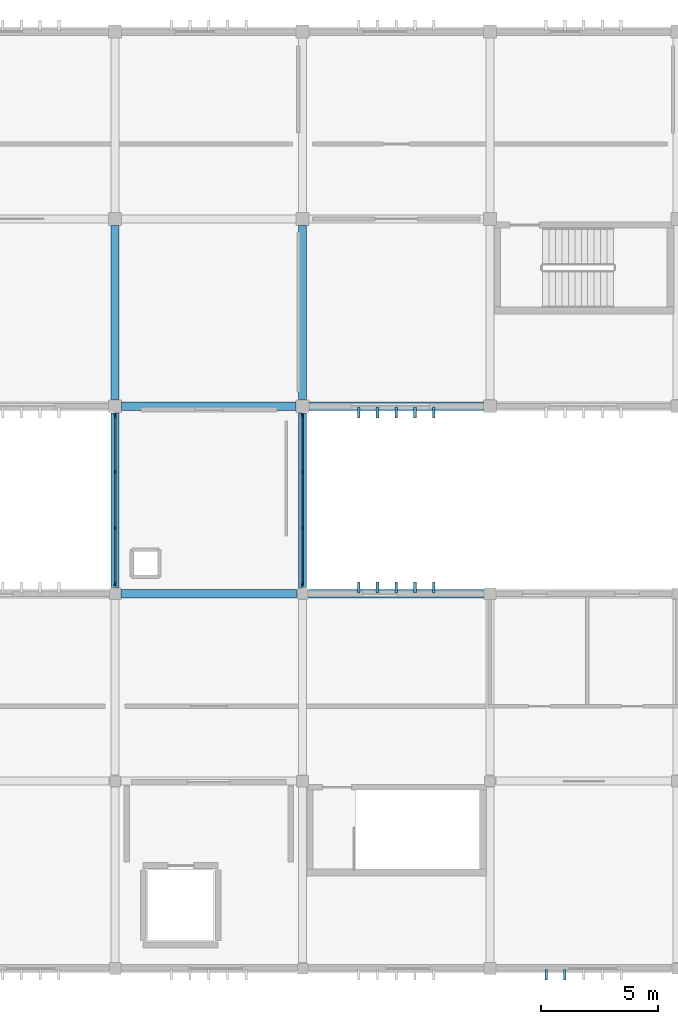
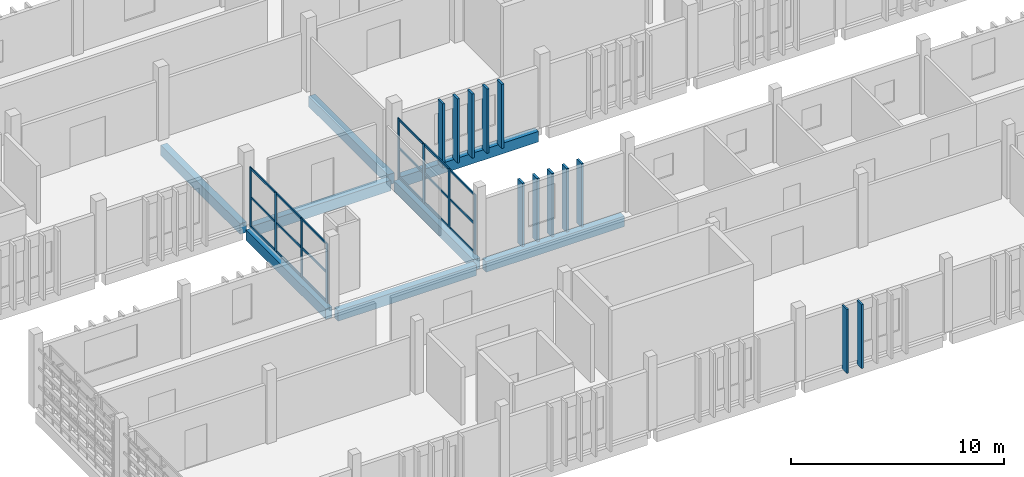
# One storey, part 10 of 32: 38 members, 8 beams, 2 elements without a shape of their own.
"""IFC4 building model written with IfcOpenShell, lengths in metres."""

from ifc_helpers import new_model, si_unit, direction, frame, origin, origin_2d, place, context, subcontext, project, spatial, rectangle, extrude, material, layer, layer_set, material_profile, profile_set, type_object, element, aggregate, save


model = new_model("IFC4")

# Units and contexts
model_context = context("Model", 3, precision=1e-05, world=origin(), true_north=direction((0.0, 1.0)))
body_context = subcontext(model_context, "Body", "Model", "MODEL_VIEW")
ifc_project = project(units=[si_unit("LENGTHUNIT", "METRE"), si_unit("AREAUNIT", "SQUARE_METRE"), si_unit("VOLUMEUNIT", "CUBIC_METRE"), si_unit("PLANEANGLEUNIT", "RADIAN"), si_unit("MASSUNIT", "GRAM", prefix="KILO")], contexts=[model_context])

# Site, building, storey
site_placement = place(None, origin())
site = spatial("IfcSite", under=ifc_project, at=site_placement, CompositionType="ELEMENT")
building_placement = place(site_placement, origin())
building = spatial("IfcBuilding", under=site, at=building_placement, Name="Jelvoka-Kovrelna Polytechnic", CompositionType="ELEMENT")
storey_placement = place(building_placement, frame((0.0, 0.0, 26.39990234375)))
storey = spatial("IfcBuildingStorey", under=building, at=storey_placement, Name="L07", CompositionType="ELEMENT", Elevation=26.39990234375)

# Beams
ifc_material_1 = material(Name="Concrete C35/45", Category="concrete")
ifc_material_profile_1 = material_profile(ifc_material_1, rectangle(XDim=0.35009765625, YDim=0.60009765625, at=origin_2d()), Name="RC 350x600")
ifc_profile_set_1 = profile_set([ifc_material_profile_1], Name="Concrete C35/45")
beam_type_1 = type_object("IfcBeamType", Name="Beam_RC_350x600", PredefinedType="BEAM", material=ifc_profile_set_1)
for number, where, z_axis, x_axis, name in (
    (1, (144.0, 56.280029296875, -0.539794921875), (0.0, 1.0, 0.0), (-1.0, 0.0, 0.0), "L07 beam 1889"),
    (2, (152.0, 56.280029296875, -0.539794921875), (0.0, 1.0, 0.0), (-1.0, 0.0, 0.0), "L07 beam 1891"),
):
    element("IfcBeam", number, at=place(storey_placement, frame(where, z_axis=z_axis, x_axis=x_axis)), inside=storey, type_object=beam_type_1, Name=name, PredefinedType="BEAM", context=body_context, shape_type="SweptSolid", body=[
        extrude(rectangle(XDim=0.35009765625, YDim=0.60009765625, at=origin_2d()), origin(), (0.0, 0.0, 1.0), 7.43994140625),
    ])
for number, where, z_axis, x_axis, name in (
    (3, (144.0, 48.2548828125, -0.539794921875), (0.0, 1.0, 0.0), (-1.0, 0.0, 0.0), "L07 beam 1901"),
    (4, (152.0, 48.2548828125, -0.539794921875), (0.0, 1.0, 0.0), (-1.0, 0.0, 0.0), "L07 beam 1902"),
):
    element("IfcBeam", number, at=place(storey_placement, frame(where, z_axis=z_axis, x_axis=x_axis)), inside=storey, type_object=beam_type_1, Name=name, PredefinedType="BEAM", context=body_context, shape_type="SweptSolid", body=[
        extrude(rectangle(XDim=0.35009765625, YDim=0.60009765625, at=origin_2d()), origin(), (0.0, 0.0, 1.0), 7.465087890625),
    ])

# Members
ifc_material_2 = material(Name="Precast concrete C40/50", Category="concrete")
ifc_material_profile_2 = material_profile(ifc_material_2, rectangle(XDim=0.10009765625, YDim=0.449951171875, at=origin_2d()), Name="PC 100x450")
ifc_profile_set_2 = profile_set([ifc_material_profile_2], Name="Precast concrete C40/50")
member_type_1 = type_object("IfcMemberType", Name="Louvre_Fin_100x450", PredefinedType="USERDEFINED", material=ifc_profile_set_2)
for number, where, z_axis, x_axis, name in (
    (5, (162.39990234375, 31.735107421875, -0.27001953125), (0.0, 0.0, 1.0), (1.0, 0.0, 0.0), "L07 B2E south vertical solar louvre fin 1186"),
    (6, (163.199951171875, 31.735107421875, -0.27001953125), (0.0, 0.0, 1.0), (1.0, 0.0, 0.0), "L07 B2E south vertical solar louvre fin 1187"),
):
    element("IfcMember", number, at=place(storey_placement, frame(where, z_axis=z_axis, x_axis=x_axis)), inside=storey, type_object=member_type_1, Name=name, ObjectType="SUNSHADE", PredefinedType="USERDEFINED", context=body_context, shape_type="SweptSolid", body=[
        extrude(rectangle(XDim=0.10009765625, YDim=0.449951171875, at=origin_2d()), origin(), (0.0, 0.0, 1.0), 3.655029296875),
    ])
ifc_material_3 = material(Name="Precast concrete C40/50", Category="concrete")
ifc_material_profile_3 = material_profile(ifc_material_3, rectangle(XDim=0.1201171875, YDim=0.449951171875, at=origin_2d()), Name="PC 120x450")
ifc_profile_set_3 = profile_set([ifc_material_profile_3], Name="Precast concrete C40/50")
member_type_2 = type_object("IfcMemberType", Name="Louvre_Fin_120x450", PredefinedType="USERDEFINED", material=ifc_profile_set_3)
for number, where, z_axis, x_axis, name in (
    (7, (154.39990234375, 48.264892578125, -0.27001953125), (0.0, 0.0, 1.0), (1.0, 0.0, 0.0), "L07 B2E north vertical solar louvre fin 1181"),
    (8, (155.199951171875, 48.264892578125, -0.27001953125), (0.0, 0.0, 1.0), (1.0, 0.0, 0.0), "L07 B2E north vertical solar louvre fin 1182"),
    (9, (156.0, 48.264892578125, -0.27001953125), (0.0, 0.0, 1.0), (1.0, 0.0, 0.0), "L07 B2E north vertical solar louvre fin 1183"),
    (10, (156.800048828125, 48.264892578125, -0.27001953125), (0.0, 0.0, 1.0), (1.0, 0.0, 0.0), "L07 B2E north vertical solar louvre fin 1184"),
    (11, (157.60009765625, 48.264892578125, -0.27001953125), (0.0, 0.0, 1.0), (1.0, 0.0, 0.0), "L07 B2E north vertical solar louvre fin 1185"),
):
    element("IfcMember", number, at=place(storey_placement, frame(where, z_axis=z_axis, x_axis=x_axis)), inside=storey, type_object=member_type_2, Name=name, ObjectType="SUNSHADE", PredefinedType="USERDEFINED", context=body_context, shape_type="SweptSolid", body=[
        extrude(rectangle(XDim=0.1201171875, YDim=0.449951171875, at=origin_2d()), origin(), (0.0, 0.0, 1.0), 3.655029296875),
    ])
for number, where, z_axis, x_axis, name in (
    (12, (154.39990234375, 55.735107421875, -0.27001953125), (0.0, 0.0, 1.0), (1.0, 0.0, 0.0), "L07 B3 south vertical solar louvre fin 2186"),
    (13, (155.199951171875, 55.735107421875, -0.27001953125), (0.0, 0.0, 1.0), (1.0, 0.0, 0.0), "L07 B3 south vertical solar louvre fin 2187"),
    (14, (156.0, 55.735107421875, -0.27001953125), (0.0, 0.0, 1.0), (1.0, 0.0, 0.0), "L07 B3 south vertical solar louvre fin 2188"),
    (15, (156.800048828125, 55.735107421875, -0.27001953125), (0.0, 0.0, 1.0), (1.0, 0.0, 0.0), "L07 B3 south vertical solar louvre fin 2189"),
    (16, (157.60009765625, 55.735107421875, -0.27001953125), (0.0, 0.0, 1.0), (1.0, 0.0, 0.0), "L07 B3 south vertical solar louvre fin 2190"),
):
    element("IfcMember", number, at=place(storey_placement, frame(where, z_axis=z_axis, x_axis=x_axis)), inside=storey, type_object=member_type_2, Name=name, ObjectType="SUNSHADE", PredefinedType="USERDEFINED", context=body_context, shape_type="SweptSolid", body=[
        extrude(rectangle(XDim=0.1201171875, YDim=0.449951171875, at=origin_2d()), origin(), (0.0, 0.0, 1.0), 3.670166015625),
    ])

# Curtain wall, members
ifc_material_4 = material(Name="Anodised aluminium 6063-T6", Category="aluminium")
ifc_layer = layer(ifc_material_4, 0.159912109375)
ifc_layer_set = layer_set([ifc_layer], Name="Anodised aluminium 6063-T6")
curtain_wall_type = type_object("IfcCurtainWallType", Name="CW_LinkBridge", PredefinedType="NOTDEFINED", material=ifc_layer_set)
curtain_wall_1_placement = place(storey_placement, origin())
curtain_wall_1 = element("IfcCurtainWall", 17, at=curtain_wall_1_placement, inside=storey, type_object=curtain_wall_type, Name="L07 glazed curtain wall 161", PredefinedType="NOTDEFINED")
ifc_material_5 = material(Name="Anodised aluminium 6063-T6", Category="aluminium")
ifc_material_profile_4 = material_profile(ifc_material_5, rectangle(XDim=0.06005859375, YDim=0.159912109375, at=origin_2d()), Name="ALU 60x160")
ifc_profile_set_4 = profile_set([ifc_material_profile_4], Name="Anodised aluminium 6063-T6")
member_type_3 = type_object("IfcMemberType", Name="Mullion_M-04", PredefinedType="MULLION", material=ifc_profile_set_4)
member_1_placement = place(storey_placement, frame((144.0, 48.429931640625, -0.02490234375), z_axis=(0.0, 0.0, 1.0), x_axis=(-1.0, 0.0, 0.0)))
member_1 = element("IfcMember", 18, at=member_1_placement, type_object=member_type_3, Name="CW-04 mullion 1", PredefinedType="MULLION", context=body_context, shape_type="SweptSolid", body=[
    extrude(rectangle(XDim=0.06005859375, YDim=0.159912109375, at=origin_2d()), origin(), (0.0, 0.0, 1.0), 3.400146484375),
])
member_2_placement = place(storey_placement, frame((144.0, 50.800048828125, -0.02490234375), z_axis=(0.0, 0.0, 1.0), x_axis=(-1.0, 0.0, 0.0)))
member_2 = element("IfcMember", 19, at=member_2_placement, type_object=member_type_3, Name="CW-04 mullion 2", PredefinedType="MULLION", context=body_context, shape_type="SweptSolid", body=[
    extrude(rectangle(XDim=0.06005859375, YDim=0.159912109375, at=origin_2d()), origin(), (0.0, 0.0, 1.0), 3.400146484375),
])
member_3_placement = place(storey_placement, frame((144.0, 53.199951171875, -0.02490234375), z_axis=(0.0, 0.0, 1.0), x_axis=(-1.0, 0.0, 0.0)))
member_3 = element("IfcMember", 20, at=member_3_placement, type_object=member_type_3, Name="CW-04 mullion 3", PredefinedType="MULLION", context=body_context, shape_type="SweptSolid", body=[
    extrude(rectangle(XDim=0.06005859375, YDim=0.159912109375, at=origin_2d()), origin(), (0.0, 0.0, 1.0), 3.400146484375),
])
member_4_placement = place(storey_placement, frame((144.0, 55.570068359375, -0.02490234375), z_axis=(0.0, 0.0, 1.0), x_axis=(-1.0, 0.0, 0.0)))
member_4 = element("IfcMember", 21, at=member_4_placement, type_object=member_type_3, Name="CW-04 mullion 4", PredefinedType="MULLION", context=body_context, shape_type="SweptSolid", body=[
    extrude(rectangle(XDim=0.06005859375, YDim=0.159912109375, at=origin_2d()), origin(), (0.0, 0.0, 1.0), 3.400146484375),
])

curtain_wall_2_placement = place(storey_placement, origin())
curtain_wall_2 = element("IfcCurtainWall", 22, at=curtain_wall_2_placement, inside=storey, type_object=curtain_wall_type, Name="L07 glazed curtain wall 162", PredefinedType="NOTDEFINED")
member_5_placement = place(storey_placement, frame((152.0, 55.570068359375, -0.02490234375), z_axis=(0.0, 0.0, 1.0), x_axis=(1.0, 0.0, 0.0)))
member_5 = element("IfcMember", 23, at=member_5_placement, type_object=member_type_3, Name="CW-04 mullion 1", PredefinedType="MULLION", context=body_context, shape_type="SweptSolid", body=[
    extrude(rectangle(XDim=0.06005859375, YDim=0.159912109375, at=origin_2d()), origin(), (0.0, 0.0, 1.0), 3.400146484375),
])
member_6_placement = place(storey_placement, frame((152.0, 53.199951171875, -0.02490234375), z_axis=(0.0, 0.0, 1.0), x_axis=(1.0, 0.0, 0.0)))
member_6 = element("IfcMember", 24, at=member_6_placement, type_object=member_type_3, Name="CW-04 mullion 2", PredefinedType="MULLION", context=body_context, shape_type="SweptSolid", body=[
    extrude(rectangle(XDim=0.06005859375, YDim=0.159912109375, at=origin_2d()), origin(), (0.0, 0.0, 1.0), 3.400146484375),
])
member_7_placement = place(storey_placement, frame((152.0, 50.800048828125, -0.02490234375), z_axis=(0.0, 0.0, 1.0), x_axis=(1.0, 0.0, 0.0)))
member_7 = element("IfcMember", 25, at=member_7_placement, type_object=member_type_3, Name="CW-04 mullion 3", PredefinedType="MULLION", context=body_context, shape_type="SweptSolid", body=[
    extrude(rectangle(XDim=0.06005859375, YDim=0.159912109375, at=origin_2d()), origin(), (0.0, 0.0, 1.0), 3.400146484375),
])
member_8_placement = place(storey_placement, frame((152.0, 48.429931640625, -0.02490234375), z_axis=(0.0, 0.0, 1.0), x_axis=(1.0, 0.0, 0.0)))
member_8 = element("IfcMember", 26, at=member_8_placement, type_object=member_type_3, Name="CW-04 mullion 4", PredefinedType="MULLION", context=body_context, shape_type="SweptSolid", body=[
    extrude(rectangle(XDim=0.06005859375, YDim=0.159912109375, at=origin_2d()), origin(), (0.0, 0.0, 1.0), 3.400146484375),
])

# Beams
ifc_material_6 = material(Name="Concrete C40/50", Category="concrete")
ifc_material_profile_5 = material_profile(ifc_material_6, rectangle(XDim=0.35009765625, YDim=0.60009765625, at=origin_2d()), Name="RC 350x600")
ifc_profile_set_5 = profile_set([ifc_material_profile_5], Name="Concrete C40/50")
beam_type_2 = type_object("IfcBeamType", Name="Spandrel_RC_350x600", PredefinedType="SPANDREL", material=ifc_profile_set_5)
for number, where, z_axis, x_axis, name in (
    (27, (144.2548828125, 48.0, -0.539794921875), (1.0, 0.0, 0.0), (0.0, 1.0, 0.0), "L07 beam 1806"),
    (28, (152.2548828125, 48.0, -0.539794921875), (1.0, 0.0, 0.0), (0.0, 1.0, 0.0), "L07 beam 1807"),
):
    element("IfcBeam", number, at=place(storey_placement, frame(where, z_axis=z_axis, x_axis=x_axis)), inside=storey, type_object=beam_type_2, Name=name, PredefinedType="SPANDREL", context=body_context, shape_type="SweptSolid", body=[
        extrude(rectangle(XDim=0.35009765625, YDim=0.60009765625, at=origin_2d()), origin(), (0.0, 0.0, 1.0), 7.490234375),
    ])
for number, where, z_axis, x_axis, name in (
    (29, (144.280029296875, 56.0, -0.539794921875), (1.0, 0.0, 0.0), (0.0, 1.0, 0.0), "L07 beam 1862"),
    (30, (152.280029296875, 56.0, -0.539794921875), (1.0, 0.0, 0.0), (0.0, 1.0, 0.0), "L07 beam 1863"),
):
    element("IfcBeam", number, at=place(storey_placement, frame(where, z_axis=z_axis, x_axis=x_axis)), inside=storey, type_object=beam_type_2, Name=name, PredefinedType="SPANDREL", context=body_context, shape_type="SweptSolid", body=[
        extrude(rectangle(XDim=0.35009765625, YDim=0.60009765625, at=origin_2d()), origin(), (0.0, 0.0, 1.0), 7.43994140625),
    ])

# Member
ifc_material_7 = material(Name="Anodised aluminium 6063-T6", Category="aluminium")
ifc_material_profile_6 = material_profile(ifc_material_7, rectangle(XDim=0.06005859375, YDim=0.1201171875, at=origin_2d()), Name="ALU 60x120")
ifc_profile_set_6 = profile_set([ifc_material_profile_6], Name="Anodised aluminium 6063-T6")
member_type_4 = type_object("IfcMemberType", Name="Transom_T-04", PredefinedType="USERDEFINED", material=ifc_profile_set_6)
member_9_placement = place(storey_placement, frame((144.0, 48.4599609375, 0.030029296875), z_axis=(0.0, 1.0, 0.0), x_axis=(-1.0, 0.0, 0.0)))
member_9 = element("IfcMember", 31, at=member_9_placement, type_object=member_type_4, Name="CW-04 transom 1.1", ObjectType="TRANSOM", PredefinedType="USERDEFINED", context=body_context, shape_type="SweptSolid", body=[
    extrude(rectangle(XDim=0.06005859375, YDim=0.1201171875, at=origin_2d()), origin(), (0.0, 0.0, 1.0), 2.31005859375),
])

member_10_placement = place(storey_placement, frame((144.0, 48.4599609375, 1.675048828125), z_axis=(0.0, 1.0, 0.0), x_axis=(-1.0, 0.0, 0.0)))
member_10 = element("IfcMember", 32, at=member_10_placement, type_object=member_type_4, Name="CW-04 transom 1.2", ObjectType="TRANSOM", PredefinedType="USERDEFINED", context=body_context, shape_type="SweptSolid", body=[
    extrude(rectangle(XDim=0.06005859375, YDim=0.1201171875, at=origin_2d()), origin(), (0.0, 0.0, 1.0), 2.31005859375),
])

member_11_placement = place(storey_placement, frame((144.0, 48.4599609375, 3.320068359375), z_axis=(0.0, 1.0, 0.0), x_axis=(-1.0, 0.0, 0.0)))
member_11 = element("IfcMember", 33, at=member_11_placement, type_object=member_type_4, Name="CW-04 transom 1.3", ObjectType="TRANSOM", PredefinedType="USERDEFINED", context=body_context, shape_type="SweptSolid", body=[
    extrude(rectangle(XDim=0.06005859375, YDim=0.1201171875, at=origin_2d()), origin(), (0.0, 0.0, 1.0), 2.31005859375),
])

member_12_placement = place(storey_placement, frame((144.0, 50.830078125, 0.030029296875), z_axis=(0.0, 1.0, 0.0), x_axis=(-1.0, 0.0, 0.0)))
member_12 = element("IfcMember", 34, at=member_12_placement, type_object=member_type_4, Name="CW-04 transom 2.1", ObjectType="TRANSOM", PredefinedType="USERDEFINED", context=body_context, shape_type="SweptSolid", body=[
    extrude(rectangle(XDim=0.06005859375, YDim=0.1201171875, at=origin_2d()), origin(), (0.0, 0.0, 1.0), 2.33984375),
])

member_13_placement = place(storey_placement, frame((144.0, 50.830078125, 1.675048828125), z_axis=(0.0, 1.0, 0.0), x_axis=(-1.0, 0.0, 0.0)))
member_13 = element("IfcMember", 35, at=member_13_placement, type_object=member_type_4, Name="CW-04 transom 2.2", ObjectType="TRANSOM", PredefinedType="USERDEFINED", context=body_context, shape_type="SweptSolid", body=[
    extrude(rectangle(XDim=0.06005859375, YDim=0.1201171875, at=origin_2d()), origin(), (0.0, 0.0, 1.0), 2.33984375),
])

member_14_placement = place(storey_placement, frame((144.0, 50.830078125, 3.320068359375), z_axis=(0.0, 1.0, 0.0), x_axis=(-1.0, 0.0, 0.0)))
member_14 = element("IfcMember", 36, at=member_14_placement, type_object=member_type_4, Name="CW-04 transom 2.3", ObjectType="TRANSOM", PredefinedType="USERDEFINED", context=body_context, shape_type="SweptSolid", body=[
    extrude(rectangle(XDim=0.06005859375, YDim=0.1201171875, at=origin_2d()), origin(), (0.0, 0.0, 1.0), 2.33984375),
])

member_15_placement = place(storey_placement, frame((144.0, 53.22998046875, 0.030029296875), z_axis=(0.0, 1.0, 0.0), x_axis=(-1.0, 0.0, 0.0)))
member_15 = element("IfcMember", 37, at=member_15_placement, type_object=member_type_4, Name="CW-04 transom 3.1", ObjectType="TRANSOM", PredefinedType="USERDEFINED", context=body_context, shape_type="SweptSolid", body=[
    extrude(rectangle(XDim=0.06005859375, YDim=0.1201171875, at=origin_2d()), origin(), (0.0, 0.0, 1.0), 2.31005859375),
])

member_16_placement = place(storey_placement, frame((144.0, 53.22998046875, 1.675048828125), z_axis=(0.0, 1.0, 0.0), x_axis=(-1.0, 0.0, 0.0)))
member_16 = element("IfcMember", 38, at=member_16_placement, type_object=member_type_4, Name="CW-04 transom 3.2", ObjectType="TRANSOM", PredefinedType="USERDEFINED", context=body_context, shape_type="SweptSolid", body=[
    extrude(rectangle(XDim=0.06005859375, YDim=0.1201171875, at=origin_2d()), origin(), (0.0, 0.0, 1.0), 2.31005859375),
])

member_17_placement = place(storey_placement, frame((144.0, 53.22998046875, 3.320068359375), z_axis=(0.0, 1.0, 0.0), x_axis=(-1.0, 0.0, 0.0)))
member_17 = element("IfcMember", 39, at=member_17_placement, type_object=member_type_4, Name="CW-04 transom 3.3", ObjectType="TRANSOM", PredefinedType="USERDEFINED", context=body_context, shape_type="SweptSolid", body=[
    extrude(rectangle(XDim=0.06005859375, YDim=0.1201171875, at=origin_2d()), origin(), (0.0, 0.0, 1.0), 2.31005859375),
])

aggregate(curtain_wall_1, [member_1, member_2, member_3, member_4, member_9, member_10, member_11, member_12, member_13, member_14, member_15, member_16, member_17])

member_18_placement = place(storey_placement, frame((152.0, 55.5400390625, 0.030029296875), z_axis=(0.0, -1.0, 0.0), x_axis=(1.0, 0.0, 0.0)))
member_18 = element("IfcMember", 40, at=member_18_placement, type_object=member_type_4, Name="CW-04 transom 1.1", ObjectType="TRANSOM", PredefinedType="USERDEFINED", context=body_context, shape_type="SweptSolid", body=[
    extrude(rectangle(XDim=0.06005859375, YDim=0.1201171875, at=origin_2d()), origin(), (0.0, 0.0, 1.0), 2.31005859375),
])

member_19_placement = place(storey_placement, frame((152.0, 55.5400390625, 1.675048828125), z_axis=(0.0, -1.0, 0.0), x_axis=(1.0, 0.0, 0.0)))
member_19 = element("IfcMember", 41, at=member_19_placement, type_object=member_type_4, Name="CW-04 transom 1.2", ObjectType="TRANSOM", PredefinedType="USERDEFINED", context=body_context, shape_type="SweptSolid", body=[
    extrude(rectangle(XDim=0.06005859375, YDim=0.1201171875, at=origin_2d()), origin(), (0.0, 0.0, 1.0), 2.31005859375),
])

member_20_placement = place(storey_placement, frame((152.0, 55.5400390625, 3.320068359375), z_axis=(0.0, -1.0, 0.0), x_axis=(1.0, 0.0, 0.0)))
member_20 = element("IfcMember", 42, at=member_20_placement, type_object=member_type_4, Name="CW-04 transom 1.3", ObjectType="TRANSOM", PredefinedType="USERDEFINED", context=body_context, shape_type="SweptSolid", body=[
    extrude(rectangle(XDim=0.06005859375, YDim=0.1201171875, at=origin_2d()), origin(), (0.0, 0.0, 1.0), 2.31005859375),
])

member_21_placement = place(storey_placement, frame((152.0, 53.169921875, 0.030029296875), z_axis=(0.0, -1.0, 0.0), x_axis=(1.0, 0.0, 0.0)))
member_21 = element("IfcMember", 43, at=member_21_placement, type_object=member_type_4, Name="CW-04 transom 2.1", ObjectType="TRANSOM", PredefinedType="USERDEFINED", context=body_context, shape_type="SweptSolid", body=[
    extrude(rectangle(XDim=0.06005859375, YDim=0.1201171875, at=origin_2d()), origin(), (0.0, 0.0, 1.0), 2.33984375),
])

member_22_placement = place(storey_placement, frame((152.0, 53.169921875, 1.675048828125), z_axis=(0.0, -1.0, 0.0), x_axis=(1.0, 0.0, 0.0)))
member_22 = element("IfcMember", 44, at=member_22_placement, type_object=member_type_4, Name="CW-04 transom 2.2", ObjectType="TRANSOM", PredefinedType="USERDEFINED", context=body_context, shape_type="SweptSolid", body=[
    extrude(rectangle(XDim=0.06005859375, YDim=0.1201171875, at=origin_2d()), origin(), (0.0, 0.0, 1.0), 2.33984375),
])

member_23_placement = place(storey_placement, frame((152.0, 53.169921875, 3.320068359375), z_axis=(0.0, -1.0, 0.0), x_axis=(1.0, 0.0, 0.0)))
member_23 = element("IfcMember", 45, at=member_23_placement, type_object=member_type_4, Name="CW-04 transom 2.3", ObjectType="TRANSOM", PredefinedType="USERDEFINED", context=body_context, shape_type="SweptSolid", body=[
    extrude(rectangle(XDim=0.06005859375, YDim=0.1201171875, at=origin_2d()), origin(), (0.0, 0.0, 1.0), 2.33984375),
])

member_24_placement = place(storey_placement, frame((152.0, 50.77001953125, 0.030029296875), z_axis=(0.0, -1.0, 0.0), x_axis=(1.0, 0.0, 0.0)))
member_24 = element("IfcMember", 46, at=member_24_placement, type_object=member_type_4, Name="CW-04 transom 3.1", ObjectType="TRANSOM", PredefinedType="USERDEFINED", context=body_context, shape_type="SweptSolid", body=[
    extrude(rectangle(XDim=0.06005859375, YDim=0.1201171875, at=origin_2d()), origin(), (0.0, 0.0, 1.0), 2.31005859375),
])

member_25_placement = place(storey_placement, frame((152.0, 50.77001953125, 1.675048828125), z_axis=(0.0, -1.0, 0.0), x_axis=(1.0, 0.0, 0.0)))
member_25 = element("IfcMember", 47, at=member_25_placement, type_object=member_type_4, Name="CW-04 transom 3.2", ObjectType="TRANSOM", PredefinedType="USERDEFINED", context=body_context, shape_type="SweptSolid", body=[
    extrude(rectangle(XDim=0.06005859375, YDim=0.1201171875, at=origin_2d()), origin(), (0.0, 0.0, 1.0), 2.31005859375),
])

member_26_placement = place(storey_placement, frame((152.0, 50.77001953125, 3.320068359375), z_axis=(0.0, -1.0, 0.0), x_axis=(1.0, 0.0, 0.0)))
member_26 = element("IfcMember", 48, at=member_26_placement, type_object=member_type_4, Name="CW-04 transom 3.3", ObjectType="TRANSOM", PredefinedType="USERDEFINED", context=body_context, shape_type="SweptSolid", body=[
    extrude(rectangle(XDim=0.06005859375, YDim=0.1201171875, at=origin_2d()), origin(), (0.0, 0.0, 1.0), 2.31005859375),
])

aggregate(curtain_wall_2, [member_5, member_6, member_7, member_8, member_18, member_19, member_20, member_21, member_22, member_23, member_24, member_25, member_26])

save(model, "model.ifc")
